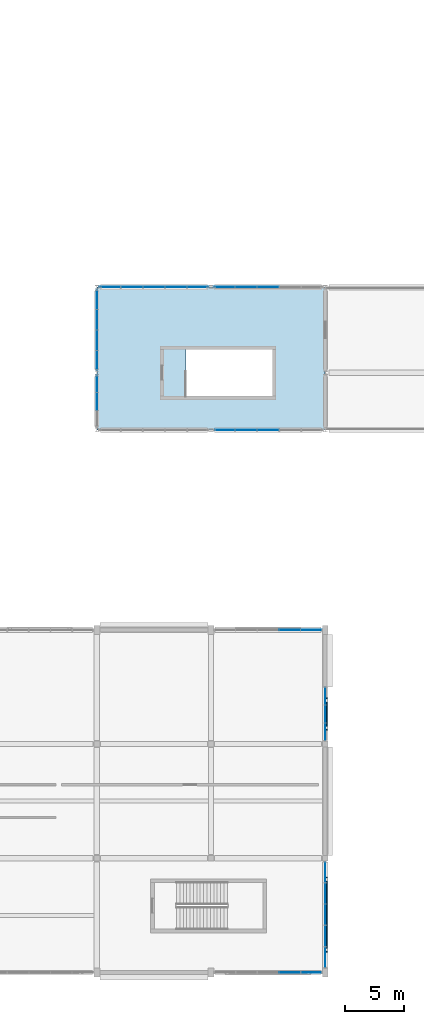
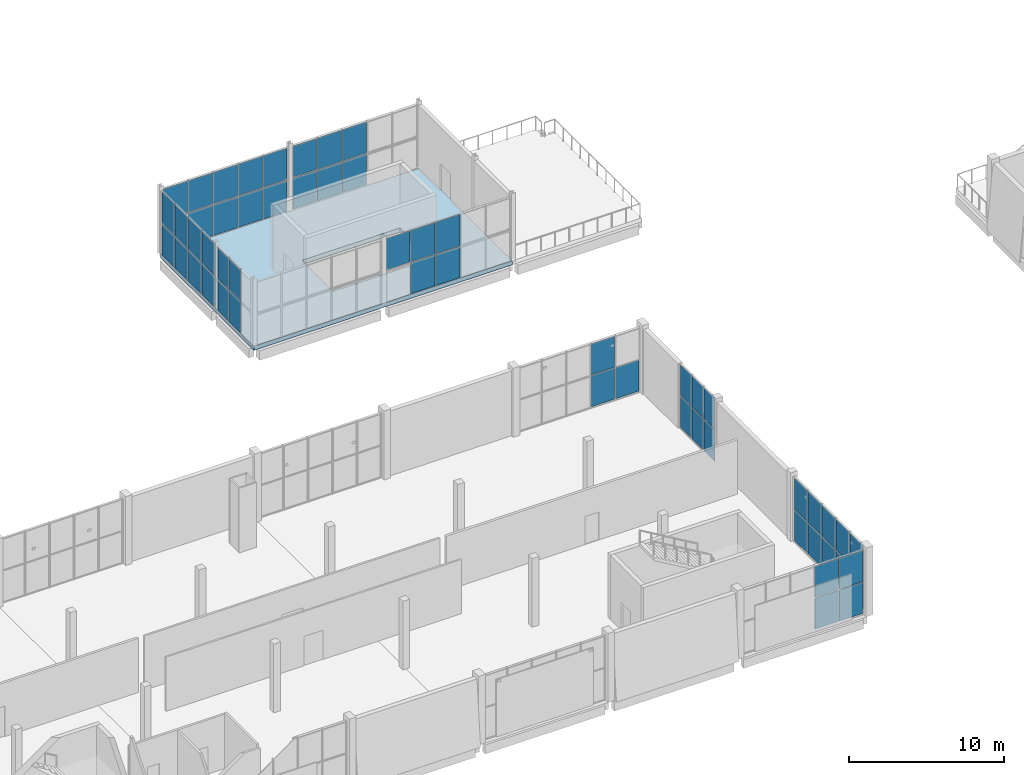
# One storey, part 44 of 83: 58 plates, 1 slab, 9 elements without a shape of their own.
"""IFC4 building model written with IfcOpenShell, lengths in metres."""

from ifc_helpers import new_model, si_unit, direction, frame, origin, origin_2d, place, context, subcontext, project, spatial, polyline, rectangle, outline, extrude, material, layer, layer_set, type_object, element, aggregate, save


model = new_model("IFC4")

# Units and contexts
model_context = context("Model", 3, precision=1e-05, world=origin(), true_north=direction((0.0, 1.0)))
body_context = subcontext(model_context, "Body", "Model", "MODEL_VIEW")
ifc_project = project(units=[si_unit("LENGTHUNIT", "METRE"), si_unit("AREAUNIT", "SQUARE_METRE"), si_unit("VOLUMEUNIT", "CUBIC_METRE"), si_unit("PLANEANGLEUNIT", "RADIAN"), si_unit("MASSUNIT", "GRAM", prefix="KILO")], contexts=[model_context])

# Site, building, storey
site_placement = place(None, origin())
site = spatial("IfcSite", under=ifc_project, at=site_placement, CompositionType="ELEMENT")
building_placement = place(site_placement, origin())
building = spatial("IfcBuilding", under=site, at=building_placement, Name="Shalvenor Court Art Gallery", CompositionType="ELEMENT")
storey_placement = place(building_placement, frame((0.0, 0.0, 6.0)))
storey = spatial("IfcBuildingStorey", under=building, at=storey_placement, Name="L01", CompositionType="ELEMENT", Elevation=6.0)

# Curtain wall, plates
ifc_material_1 = material(Name="Anodised aluminium and low-iron glass curtain wall", Category="aluminium")
curtain_wall_type_1 = type_object("IfcCurtainWallType", Name="CW-5x2-91-51-641", PredefinedType="USERDEFINED", material=ifc_material_1)
curtain_wall_1_placement = place(storey_placement, origin())
curtain_wall_1 = element("IfcCurtainWall", 1, at=curtain_wall_1_placement, inside=storey, type_object=curtain_wall_type_1, Name="L01 V4 Curtain Wall CW-L01-131", ObjectType="CURTAIN WALL", PredefinedType="USERDEFINED")
ifc_material_2 = material(Name="Low-iron UV-laminated double glazing IGU", Category="glass")
ifc_layer_1 = layer(ifc_material_2, 0.028076171875, Name="Low-iron UV-laminated double glazing IGU")
ifc_layer_set_1 = layer_set([ifc_layer_1], Name="Low-iron UV-laminated double glazing IGU")
plate_type_1 = type_object("IfcPlateType", Name="CWP-01", PredefinedType="CURTAIN_PANEL", material=ifc_layer_set_1)
plate_1_placement = place(storey_placement, frame((64.219970703125, 28.800048828125, 0.070068359375), z_axis=(0.0, 0.0, 1.0), x_axis=(1.0, 0.0, 0.0)))
plate_1 = element("IfcPlate", 2, at=plate_1_placement, type_object=plate_type_1, Name="CW-5x2-91-51-641 panel 4.1", PredefinedType="CURTAIN_PANEL", context=body_context, shape_type="SweptSolid", body=[
    extrude(rectangle(XDim=1.764892578125, YDim=0.028076171875, at=origin_2d()), origin(), (0.0, 0.0, 1.0), 2.43505859375),
])
plate_2_placement = place(storey_placement, frame((64.219970703125, 28.800048828125, 2.574951171875), z_axis=(0.0, 0.0, 1.0), x_axis=(1.0, 0.0, 0.0)))
plate_2 = element("IfcPlate", 3, at=plate_2_placement, type_object=plate_type_1, Name="CW-5x2-91-51-641 panel 4.2", PredefinedType="CURTAIN_PANEL", context=body_context, shape_type="SweptSolid", body=[
    extrude(rectangle(XDim=1.764892578125, YDim=0.028076171875, at=origin_2d()), origin(), (0.0, 0.0, 1.0), 2.43505859375),
])
plate_3_placement = place(storey_placement, frame((66.0263671875, 28.800048828125, 0.070068359375), z_axis=(0.0, 0.0, 1.0), x_axis=(1.0, 0.0, 0.0)))
plate_3 = element("IfcPlate", 4, at=plate_3_placement, type_object=plate_type_1, Name="CW-5x2-91-51-641 panel 5.1", PredefinedType="CURTAIN_PANEL", context=body_context, shape_type="SweptSolid", body=[
    extrude(rectangle(XDim=1.737548828125, YDim=0.028076171875, at=origin_2d()), origin(), (0.0, 0.0, 1.0), 2.43505859375),
])
aggregate(curtain_wall_1, [plate_1, plate_2, plate_3])

ifc_material_3 = material(Name="Anodised aluminium and low-iron glass curtain wall", Category="aluminium")
curtain_wall_type_2 = type_object("IfcCurtainWallType", Name="CW-3x2-46-51-111", PredefinedType="USERDEFINED", material=ifc_material_3)
curtain_wall_2_placement = place(storey_placement, origin())
curtain_wall_2 = element("IfcCurtainWall", 5, at=curtain_wall_2_placement, inside=storey, type_object=curtain_wall_type_2, Name="L01 V4 Curtain Wall CW-L01-132", ObjectType="CURTAIN WALL", PredefinedType="USERDEFINED")
plate_4_placement = place(storey_placement, frame((67.199951171875, 23.225341796875, 0.06005859375), z_axis=(0.0, 0.0, 1.0), x_axis=(0.0, -1.0, 0.0)))
plate_4 = element("IfcPlate", 6, at=plate_4_placement, type_object=plate_type_1, Name="CW-3x2-46-51-111 panel 1.1", PredefinedType="CURTAIN_PANEL", context=body_context, shape_type="SweptSolid", body=[
    extrude(rectangle(XDim=1.419189453125, YDim=0.028076171875, at=origin_2d()), origin(), (0.0, 0.0, 1.0), 2.449951171875),
])
plate_5_placement = place(storey_placement, frame((67.199951171875, 23.225341796875, 2.56982421875), z_axis=(0.0, 0.0, 1.0), x_axis=(0.0, -1.0, 0.0)))
plate_5 = element("IfcPlate", 7, at=plate_5_placement, type_object=plate_type_1, Name="CW-3x2-46-51-111 panel 1.2", PredefinedType="CURTAIN_PANEL", context=body_context, shape_type="SweptSolid", body=[
    extrude(rectangle(XDim=1.419189453125, YDim=0.028076171875, at=origin_2d()), origin(), (0.0, 0.0, 1.0), 2.449951171875),
])
plate_6_placement = place(storey_placement, frame((67.199951171875, 21.72509765625, 0.06005859375), z_axis=(0.0, 0.0, 1.0), x_axis=(0.0, -1.0, 0.0)))
plate_6 = element("IfcPlate", 8, at=plate_6_placement, type_object=plate_type_1, Name="CW-3x2-46-51-111 panel 2.1", PredefinedType="CURTAIN_PANEL", context=body_context, shape_type="SweptSolid", body=[
    extrude(rectangle(XDim=1.45166015625, YDim=0.028076171875, at=origin_2d()), origin(), (0.0, 0.0, 1.0), 2.449951171875),
])
plate_7_placement = place(storey_placement, frame((67.199951171875, 21.72509765625, 2.56982421875), z_axis=(0.0, 0.0, 1.0), x_axis=(0.0, -1.0, 0.0)))
plate_7 = element("IfcPlate", 9, at=plate_7_placement, type_object=plate_type_1, Name="CW-3x2-46-51-111 panel 2.2", PredefinedType="CURTAIN_PANEL", context=body_context, shape_type="SweptSolid", body=[
    extrude(rectangle(XDim=1.45166015625, YDim=0.028076171875, at=origin_2d()), origin(), (0.0, 0.0, 1.0), 2.449951171875),
])
plate_8_placement = place(storey_placement, frame((67.199951171875, 20.224609375, 0.06005859375), z_axis=(0.0, 0.0, 1.0), x_axis=(0.0, -1.0, 0.0)))
plate_8 = element("IfcPlate", 10, at=plate_8_placement, type_object=plate_type_1, Name="CW-3x2-46-51-111 panel 3.1", PredefinedType="CURTAIN_PANEL", context=body_context, shape_type="SweptSolid", body=[
    extrude(rectangle(XDim=1.419189453125, YDim=0.028076171875, at=origin_2d()), origin(), (0.0, 0.0, 1.0), 2.449951171875),
])
plate_9_placement = place(storey_placement, frame((67.199951171875, 20.224609375, 2.56982421875), z_axis=(0.0, 0.0, 1.0), x_axis=(0.0, -1.0, 0.0)))
plate_9 = element("IfcPlate", 11, at=plate_9_placement, type_object=plate_type_1, Name="CW-3x2-46-51-111 panel 3.2", PredefinedType="CURTAIN_PANEL", context=body_context, shape_type="SweptSolid", body=[
    extrude(rectangle(XDim=1.419189453125, YDim=0.028076171875, at=origin_2d()), origin(), (0.0, 0.0, 1.0), 2.449951171875),
])
aggregate(curtain_wall_2, [plate_4, plate_5, plate_6, plate_7, plate_8, plate_9])

ifc_material_4 = material(Name="Anodised aluminium and low-iron glass curtain wall", Category="aluminium")
curtain_wall_type_3 = type_object("IfcCurtainWallType", Name="CW-5x2-90-51-221", PredefinedType="USERDEFINED", material=ifc_material_4)
curtain_wall_3_placement = place(storey_placement, origin())
curtain_wall_3 = element("IfcCurtainWall", 12, at=curtain_wall_3_placement, inside=storey, type_object=curtain_wall_type_3, Name="L01 V4 Curtain Wall CW-L01-133", ObjectType="CURTAIN WALL", PredefinedType="USERDEFINED")
plate_10_placement = place(storey_placement, frame((67.199951171875, 8.43505859375, 0.06494140625), z_axis=(0.0, 0.0, 1.0), x_axis=(0.0, -1.0, 0.0)))
plate_10 = element("IfcPlate", 13, at=plate_10_placement, type_object=plate_type_1, Name="CW-5x2-90-51-221 panel 1.1", PredefinedType="CURTAIN_PANEL", context=body_context, shape_type="SweptSolid", body=[
    extrude(rectangle(XDim=1.68994140625, YDim=0.028076171875, at=origin_2d()), origin(), (0.0, 0.0, 1.0), 2.4423828125),
])
plate_11_placement = place(storey_placement, frame((67.199951171875, 8.43505859375, 2.572509765625), z_axis=(0.0, 0.0, 1.0), x_axis=(0.0, -1.0, 0.0)))
plate_11 = element("IfcPlate", 14, at=plate_11_placement, type_object=plate_type_1, Name="CW-5x2-90-51-221 panel 1.2", PredefinedType="CURTAIN_PANEL", context=body_context, shape_type="SweptSolid", body=[
    extrude(rectangle(XDim=1.68994140625, YDim=0.028076171875, at=origin_2d()), origin(), (0.0, 0.0, 1.0), 2.4423828125),
])
plate_12_placement = place(storey_placement, frame((67.199951171875, 6.657470703125, 0.06494140625), z_axis=(0.0, 0.0, 1.0), x_axis=(0.0, -1.0, 0.0)))
plate_12 = element("IfcPlate", 15, at=plate_12_placement, type_object=plate_type_1, Name="CW-5x2-90-51-221 panel 2.1", PredefinedType="CURTAIN_PANEL", context=body_context, shape_type="SweptSolid", body=[
    extrude(rectangle(XDim=1.72509765625, YDim=0.028076171875, at=origin_2d()), origin(), (0.0, 0.0, 1.0), 2.4423828125),
])
plate_13_placement = place(storey_placement, frame((67.199951171875, 6.657470703125, 2.572509765625), z_axis=(0.0, 0.0, 1.0), x_axis=(0.0, -1.0, 0.0)))
plate_13 = element("IfcPlate", 16, at=plate_13_placement, type_object=plate_type_1, Name="CW-5x2-90-51-221 panel 2.2", PredefinedType="CURTAIN_PANEL", context=body_context, shape_type="SweptSolid", body=[
    extrude(rectangle(XDim=1.72509765625, YDim=0.028076171875, at=origin_2d()), origin(), (0.0, 0.0, 1.0), 2.4423828125),
])
plate_14_placement = place(storey_placement, frame((67.199951171875, 4.862548828125, 0.06494140625), z_axis=(0.0, 0.0, 1.0), x_axis=(0.0, -1.0, 0.0)))
plate_14 = element("IfcPlate", 17, at=plate_14_placement, type_object=plate_type_1, Name="CW-5x2-90-51-221 panel 3.1", PredefinedType="CURTAIN_PANEL", context=body_context, shape_type="SweptSolid", body=[
    extrude(rectangle(XDim=1.72509765625, YDim=0.028076171875, at=origin_2d()), origin(), (0.0, 0.0, 1.0), 2.4423828125),
])
plate_15_placement = place(storey_placement, frame((67.199951171875, 4.862548828125, 2.572509765625), z_axis=(0.0, 0.0, 1.0), x_axis=(0.0, -1.0, 0.0)))
plate_15 = element("IfcPlate", 18, at=plate_15_placement, type_object=plate_type_1, Name="CW-5x2-90-51-221 panel 3.2", PredefinedType="CURTAIN_PANEL", context=body_context, shape_type="SweptSolid", body=[
    extrude(rectangle(XDim=1.72509765625, YDim=0.028076171875, at=origin_2d()), origin(), (0.0, 0.0, 1.0), 2.4423828125),
])
plate_16_placement = place(storey_placement, frame((67.199951171875, 3.0673828125, 0.06494140625), z_axis=(0.0, 0.0, 1.0), x_axis=(0.0, -1.0, 0.0)))
plate_16 = element("IfcPlate", 19, at=plate_16_placement, type_object=plate_type_1, Name="CW-5x2-90-51-221 panel 4.1", PredefinedType="CURTAIN_PANEL", context=body_context, shape_type="SweptSolid", body=[
    extrude(rectangle(XDim=1.72509765625, YDim=0.028076171875, at=origin_2d()), origin(), (0.0, 0.0, 1.0), 2.4423828125),
])
plate_17_placement = place(storey_placement, frame((67.199951171875, 3.0673828125, 2.572509765625), z_axis=(0.0, 0.0, 1.0), x_axis=(0.0, -1.0, 0.0)))
plate_17 = element("IfcPlate", 20, at=plate_17_placement, type_object=plate_type_1, Name="CW-5x2-90-51-221 panel 4.2", PredefinedType="CURTAIN_PANEL", context=body_context, shape_type="SweptSolid", body=[
    extrude(rectangle(XDim=1.72509765625, YDim=0.028076171875, at=origin_2d()), origin(), (0.0, 0.0, 1.0), 2.4423828125),
])
plate_18_placement = place(storey_placement, frame((67.199951171875, 1.2900390625, 0.06494140625), z_axis=(0.0, 0.0, 1.0), x_axis=(0.0, -1.0, 0.0)))
plate_18 = element("IfcPlate", 21, at=plate_18_placement, type_object=plate_type_1, Name="CW-5x2-90-51-221 panel 5.1", PredefinedType="CURTAIN_PANEL", context=body_context, shape_type="SweptSolid", body=[
    extrude(rectangle(XDim=1.68994140625, YDim=0.028076171875, at=origin_2d()), origin(), (0.0, 0.0, 1.0), 2.4423828125),
])
plate_19_placement = place(storey_placement, frame((67.199951171875, 1.2900390625, 2.572509765625), z_axis=(0.0, 0.0, 1.0), x_axis=(0.0, -1.0, 0.0)))
plate_19 = element("IfcPlate", 22, at=plate_19_placement, type_object=plate_type_1, Name="CW-5x2-90-51-221 panel 5.2", PredefinedType="CURTAIN_PANEL", context=body_context, shape_type="SweptSolid", body=[
    extrude(rectangle(XDim=1.68994140625, YDim=0.028076171875, at=origin_2d()), origin(), (0.0, 0.0, 1.0), 2.4423828125),
])
aggregate(curtain_wall_3, [plate_10, plate_11, plate_12, plate_13, plate_14, plate_15, plate_16, plate_17, plate_18, plate_19])

ifc_material_5 = material(Name="Anodised aluminium and low-iron glass curtain wall", Category="aluminium")
curtain_wall_type_4 = type_object("IfcCurtainWallType", Name="CW-5x2-91-51-441", PredefinedType="USERDEFINED", material=ifc_material_5)
curtain_wall_4_placement = place(storey_placement, origin())
curtain_wall_4 = element("IfcCurtainWall", 23, at=curtain_wall_4_placement, inside=storey, type_object=curtain_wall_type_4, Name="L01 V4 Curtain Wall CW-L01-134", ObjectType="CURTAIN WALL", PredefinedType="USERDEFINED")
plate_20_placement = place(storey_placement, frame((66.021240234375, 0.0, 0.070068359375), z_axis=(0.0, 0.0, 1.0), x_axis=(-1.0, 0.0, 0.0)))
plate_20 = element("IfcPlate", 24, at=plate_20_placement, type_object=plate_type_1, Name="CW-5x2-91-51-441 panel 1.1", PredefinedType="CURTAIN_PANEL", context=body_context, shape_type="SweptSolid", body=[
    extrude(rectangle(XDim=1.70751953125, YDim=0.028076171875, at=origin_2d()), origin(), (0.0, 0.0, 1.0), 2.43505859375),
])
plate_21_placement = place(storey_placement, frame((66.021240234375, 0.0, 2.574951171875), z_axis=(0.0, 0.0, 1.0), x_axis=(-1.0, 0.0, 0.0)))
plate_21 = element("IfcPlate", 25, at=plate_21_placement, type_object=plate_type_1, Name="CW-5x2-91-51-441 panel 1.2", PredefinedType="CURTAIN_PANEL", context=body_context, shape_type="SweptSolid", body=[
    extrude(rectangle(XDim=1.70751953125, YDim=0.028076171875, at=origin_2d()), origin(), (0.0, 0.0, 1.0), 2.43505859375),
])
plate_22_placement = place(storey_placement, frame((64.219970703125, 0.0, 0.070068359375), z_axis=(0.0, 0.0, 1.0), x_axis=(-1.0, 0.0, 0.0)))
plate_22 = element("IfcPlate", 26, at=plate_22_placement, type_object=plate_type_1, Name="CW-5x2-91-51-441 panel 2.1", PredefinedType="CURTAIN_PANEL", context=body_context, shape_type="SweptSolid", body=[
    extrude(rectangle(XDim=1.7451171875, YDim=0.028076171875, at=origin_2d()), origin(), (0.0, 0.0, 1.0), 2.43505859375),
])
plate_23_placement = place(storey_placement, frame((64.219970703125, 0.0, 2.574951171875), z_axis=(0.0, 0.0, 1.0), x_axis=(-1.0, 0.0, 0.0)))
plate_23 = element("IfcPlate", 27, at=plate_23_placement, type_object=plate_type_1, Name="CW-5x2-91-51-441 panel 2.2", PredefinedType="CURTAIN_PANEL", context=body_context, shape_type="SweptSolid", body=[
    extrude(rectangle(XDim=1.7451171875, YDim=0.028076171875, at=origin_2d()), origin(), (0.0, 0.0, 1.0), 2.43505859375),
])
aggregate(curtain_wall_4, [plate_20, plate_21, plate_22, plate_23])

ifc_material_6 = material(Name="Anodised aluminium and low-iron glass curtain wall", Category="aluminium")
curtain_wall_type_5 = type_object("IfcCurtainWallType", Name="CW-5x2-93-51-626", PredefinedType="USERDEFINED", material=ifc_material_6)
curtain_wall_5_placement = place(storey_placement, origin())
curtain_wall_5 = element("IfcCurtainWall", 28, at=curtain_wall_5_placement, inside=storey, type_object=curtain_wall_type_5, Name="L01 V6 Curtain Wall CW-L01-199", ObjectType="CURTAIN WALL", PredefinedType="USERDEFINED")
ifc_material_7 = material(Name="Solar-control laminated cloister glazing IGU", Category="glass")
ifc_layer_2 = layer(ifc_material_7, 0.0439453125, Name="Solar-control laminated cloister glazing IGU")
ifc_layer_set_2 = layer_set([ifc_layer_2], Name="Solar-control laminated cloister glazing IGU")
plate_type_2 = type_object("IfcPlateType", Name="CWP-06", PredefinedType="CURTAIN_PANEL", material=ifc_layer_set_2)
plate_24_placement = place(storey_placement, frame((49.09375, 57.60009765625, 0.06494140625), z_axis=(0.0, 0.0, 1.0), x_axis=(1.0, 0.0, 0.0)))
plate_24 = element("IfcPlate", 29, at=plate_24_placement, type_object=plate_type_2, Name="CW-5x2-93-51-626 panel 1.1", PredefinedType="CURTAIN_PANEL", context=body_context, shape_type="SweptSolid", body=[
    extrude(rectangle(XDim=1.777587890625, YDim=0.0439453125, at=origin_2d()), origin(), (0.0, 0.0, 1.0), 2.4423828125),
])
plate_25_placement = place(storey_placement, frame((49.09375, 57.60009765625, 2.572509765625), z_axis=(0.0, 0.0, 1.0), x_axis=(1.0, 0.0, 0.0)))
plate_25 = element("IfcPlate", 30, at=plate_25_placement, type_object=plate_type_2, Name="CW-5x2-93-51-626 panel 1.2", PredefinedType="CURTAIN_PANEL", context=body_context, shape_type="SweptSolid", body=[
    extrude(rectangle(XDim=1.777587890625, YDim=0.0439453125, at=origin_2d()), origin(), (0.0, 0.0, 1.0), 2.4423828125),
])
plate_26_placement = place(storey_placement, frame((50.93994140625, 57.60009765625, 0.06494140625), z_axis=(0.0, 0.0, 1.0), x_axis=(1.0, 0.0, 0.0)))
plate_26 = element("IfcPlate", 31, at=plate_26_placement, type_object=plate_type_2, Name="CW-5x2-93-51-626 panel 2.1", PredefinedType="CURTAIN_PANEL", context=body_context, shape_type="SweptSolid", body=[
    extrude(rectangle(XDim=1.804931640625, YDim=0.0439453125, at=origin_2d()), origin(), (0.0, 0.0, 1.0), 2.4423828125),
])
plate_27_placement = place(storey_placement, frame((50.93994140625, 57.60009765625, 2.572509765625), z_axis=(0.0, 0.0, 1.0), x_axis=(1.0, 0.0, 0.0)))
plate_27 = element("IfcPlate", 32, at=plate_27_placement, type_object=plate_type_2, Name="CW-5x2-93-51-626 panel 2.2", PredefinedType="CURTAIN_PANEL", context=body_context, shape_type="SweptSolid", body=[
    extrude(rectangle(XDim=1.804931640625, YDim=0.0439453125, at=origin_2d()), origin(), (0.0, 0.0, 1.0), 2.4423828125),
])
plate_28_placement = place(storey_placement, frame((52.800048828125, 57.60009765625, 0.06494140625), z_axis=(0.0, 0.0, 1.0), x_axis=(1.0, 0.0, 0.0)))
plate_28 = element("IfcPlate", 33, at=plate_28_placement, type_object=plate_type_2, Name="CW-5x2-93-51-626 panel 3.1", PredefinedType="CURTAIN_PANEL", context=body_context, shape_type="SweptSolid", body=[
    extrude(rectangle(XDim=1.804931640625, YDim=0.0439453125, at=origin_2d()), origin(), (0.0, 0.0, 1.0), 2.4423828125),
])
plate_29_placement = place(storey_placement, frame((52.800048828125, 57.60009765625, 2.572509765625), z_axis=(0.0, 0.0, 1.0), x_axis=(1.0, 0.0, 0.0)))
plate_29 = element("IfcPlate", 34, at=plate_29_placement, type_object=plate_type_2, Name="CW-5x2-93-51-626 panel 3.2", PredefinedType="CURTAIN_PANEL", context=body_context, shape_type="SweptSolid", body=[
    extrude(rectangle(XDim=1.804931640625, YDim=0.0439453125, at=origin_2d()), origin(), (0.0, 0.0, 1.0), 2.4423828125),
])
plate_30_placement = place(storey_placement, frame((54.659912109375, 57.60009765625, 0.06494140625), z_axis=(0.0, 0.0, 1.0), x_axis=(1.0, 0.0, 0.0)))
plate_30 = element("IfcPlate", 35, at=plate_30_placement, type_object=plate_type_2, Name="CW-5x2-93-51-626 panel 4.1", PredefinedType="CURTAIN_PANEL", context=body_context, shape_type="SweptSolid", body=[
    extrude(rectangle(XDim=1.804931640625, YDim=0.0439453125, at=origin_2d()), origin(), (0.0, 0.0, 1.0), 2.4423828125),
])
plate_31_placement = place(storey_placement, frame((54.659912109375, 57.60009765625, 2.572509765625), z_axis=(0.0, 0.0, 1.0), x_axis=(1.0, 0.0, 0.0)))
plate_31 = element("IfcPlate", 36, at=plate_31_placement, type_object=plate_type_2, Name="CW-5x2-93-51-626 panel 4.2", PredefinedType="CURTAIN_PANEL", context=body_context, shape_type="SweptSolid", body=[
    extrude(rectangle(XDim=1.804931640625, YDim=0.0439453125, at=origin_2d()), origin(), (0.0, 0.0, 1.0), 2.4423828125),
])
plate_32_placement = place(storey_placement, frame((56.50634765625, 57.60009765625, 0.06494140625), z_axis=(0.0, 0.0, 1.0), x_axis=(1.0, 0.0, 0.0)))
plate_32 = element("IfcPlate", 37, at=plate_32_placement, type_object=plate_type_2, Name="CW-5x2-93-51-626 panel 5.1", PredefinedType="CURTAIN_PANEL", context=body_context, shape_type="SweptSolid", body=[
    extrude(rectangle(XDim=1.777587890625, YDim=0.0439453125, at=origin_2d()), origin(), (0.0, 0.0, 1.0), 2.4423828125),
])
plate_33_placement = place(storey_placement, frame((56.50634765625, 57.60009765625, 2.572509765625), z_axis=(0.0, 0.0, 1.0), x_axis=(1.0, 0.0, 0.0)))
plate_33 = element("IfcPlate", 38, at=plate_33_placement, type_object=plate_type_2, Name="CW-5x2-93-51-626 panel 5.2", PredefinedType="CURTAIN_PANEL", context=body_context, shape_type="SweptSolid", body=[
    extrude(rectangle(XDim=1.777587890625, YDim=0.0439453125, at=origin_2d()), origin(), (0.0, 0.0, 1.0), 2.4423828125),
])
aggregate(curtain_wall_5, [plate_24, plate_25, plate_26, plate_27, plate_28, plate_29, plate_30, plate_31, plate_32, plate_33])

ifc_material_8 = material(Name="Anodised aluminium and low-iron glass curtain wall", Category="aluminium")
curtain_wall_type_6 = type_object("IfcCurtainWallType", Name="CW-5x2-93-51-146", PredefinedType="USERDEFINED", material=ifc_material_8)
curtain_wall_6_placement = place(storey_placement, origin())
curtain_wall_6 = element("IfcCurtainWall", 39, at=curtain_wall_6_placement, inside=storey, type_object=curtain_wall_type_6, Name="L01 V6 Curtain Wall CW-L01-200", ObjectType="CURTAIN WALL", PredefinedType="USERDEFINED")
plate_34_placement = place(storey_placement, frame((58.6962890625, 57.60009765625, 0.070068359375), z_axis=(0.0, 0.0, 1.0), x_axis=(1.0, 0.0, 0.0)))
plate_34 = element("IfcPlate", 40, at=plate_34_placement, type_object=plate_type_2, Name="CW-5x2-93-51-146 panel 1.1", PredefinedType="CURTAIN_PANEL", context=body_context, shape_type="SweptSolid", body=[
    extrude(rectangle(XDim=1.762451171875, YDim=0.0439453125, at=origin_2d()), origin(), (0.0, 0.0, 1.0), 2.43505859375),
])
plate_35_placement = place(storey_placement, frame((58.6962890625, 57.60009765625, 2.574951171875), z_axis=(0.0, 0.0, 1.0), x_axis=(1.0, 0.0, 0.0)))
plate_35 = element("IfcPlate", 41, at=plate_35_placement, type_object=plate_type_2, Name="CW-5x2-93-51-146 panel 1.2", PredefinedType="CURTAIN_PANEL", context=body_context, shape_type="SweptSolid", body=[
    extrude(rectangle(XDim=1.762451171875, YDim=0.0439453125, at=origin_2d()), origin(), (0.0, 0.0, 1.0), 2.43505859375),
])
plate_36_placement = place(storey_placement, frame((60.5400390625, 57.60009765625, 0.070068359375), z_axis=(0.0, 0.0, 1.0), x_axis=(1.0, 0.0, 0.0)))
plate_36 = element("IfcPlate", 42, at=plate_36_placement, type_object=plate_type_2, Name="CW-5x2-93-51-146 panel 2.1", PredefinedType="CURTAIN_PANEL", context=body_context, shape_type="SweptSolid", body=[
    extrude(rectangle(XDim=1.794921875, YDim=0.0439453125, at=origin_2d()), origin(), (0.0, 0.0, 1.0), 2.43505859375),
])
plate_37_placement = place(storey_placement, frame((60.5400390625, 57.60009765625, 2.574951171875), z_axis=(0.0, 0.0, 1.0), x_axis=(1.0, 0.0, 0.0)))
plate_37 = element("IfcPlate", 43, at=plate_37_placement, type_object=plate_type_2, Name="CW-5x2-93-51-146 panel 2.2", PredefinedType="CURTAIN_PANEL", context=body_context, shape_type="SweptSolid", body=[
    extrude(rectangle(XDim=1.794921875, YDim=0.0439453125, at=origin_2d()), origin(), (0.0, 0.0, 1.0), 2.43505859375),
])
plate_38_placement = place(storey_placement, frame((62.39990234375, 57.60009765625, 0.070068359375), z_axis=(0.0, 0.0, 1.0), x_axis=(1.0, 0.0, 0.0)))
plate_38 = element("IfcPlate", 44, at=plate_38_placement, type_object=plate_type_2, Name="CW-5x2-93-51-146 panel 3.1", PredefinedType="CURTAIN_PANEL", context=body_context, shape_type="SweptSolid", body=[
    extrude(rectangle(XDim=1.794921875, YDim=0.0439453125, at=origin_2d()), origin(), (0.0, 0.0, 1.0), 2.43505859375),
])
plate_39_placement = place(storey_placement, frame((62.39990234375, 57.60009765625, 2.574951171875), z_axis=(0.0, 0.0, 1.0), x_axis=(1.0, 0.0, 0.0)))
plate_39 = element("IfcPlate", 45, at=plate_39_placement, type_object=plate_type_2, Name="CW-5x2-93-51-146 panel 3.2", PredefinedType="CURTAIN_PANEL", context=body_context, shape_type="SweptSolid", body=[
    extrude(rectangle(XDim=1.794921875, YDim=0.0439453125, at=origin_2d()), origin(), (0.0, 0.0, 1.0), 2.43505859375),
])
aggregate(curtain_wall_6, [plate_34, plate_35, plate_36, plate_37, plate_38, plate_39])

ifc_material_9 = material(Name="Anodised aluminium and low-iron glass curtain wall", Category="aluminium")
curtain_wall_type_7 = type_object("IfcCurtainWallType", Name="CW-5x2-93-51-216", PredefinedType="USERDEFINED", material=ifc_material_9)
curtain_wall_7_placement = place(storey_placement, origin())
curtain_wall_7 = element("IfcCurtainWall", 46, at=curtain_wall_7_placement, inside=storey, type_object=curtain_wall_type_7, Name="L01 V6 Curtain Wall CW-L01-201", ObjectType="CURTAIN WALL", PredefinedType="USERDEFINED")
plate_40_placement = place(storey_placement, frame((62.39990234375, 45.60009765625, 0.06005859375), z_axis=(0.0, 0.0, 1.0), x_axis=(-1.0, 0.0, 0.0)))
plate_40 = element("IfcPlate", 47, at=plate_40_placement, type_object=plate_type_2, Name="CW-5x2-93-51-216 panel 3.1", PredefinedType="CURTAIN_PANEL", context=body_context, shape_type="SweptSolid", body=[
    extrude(rectangle(XDim=1.7900390625, YDim=0.0439453125, at=origin_2d()), origin(), (0.0, 0.0, 1.0), 2.449951171875),
])
plate_41_placement = place(storey_placement, frame((62.39990234375, 45.60009765625, 2.56982421875), z_axis=(0.0, 0.0, 1.0), x_axis=(-1.0, 0.0, 0.0)))
plate_41 = element("IfcPlate", 48, at=plate_41_placement, type_object=plate_type_2, Name="CW-5x2-93-51-216 panel 3.2", PredefinedType="CURTAIN_PANEL", context=body_context, shape_type="SweptSolid", body=[
    extrude(rectangle(XDim=1.7900390625, YDim=0.0439453125, at=origin_2d()), origin(), (0.0, 0.0, 1.0), 2.449951171875),
])
plate_42_placement = place(storey_placement, frame((60.5400390625, 45.60009765625, 0.06005859375), z_axis=(0.0, 0.0, 1.0), x_axis=(-1.0, 0.0, 0.0)))
plate_42 = element("IfcPlate", 49, at=plate_42_placement, type_object=plate_type_2, Name="CW-5x2-93-51-216 panel 4.1", PredefinedType="CURTAIN_PANEL", context=body_context, shape_type="SweptSolid", body=[
    extrude(rectangle(XDim=1.7900390625, YDim=0.0439453125, at=origin_2d()), origin(), (0.0, 0.0, 1.0), 2.449951171875),
])
plate_43_placement = place(storey_placement, frame((60.5400390625, 45.60009765625, 2.56982421875), z_axis=(0.0, 0.0, 1.0), x_axis=(-1.0, 0.0, 0.0)))
plate_43 = element("IfcPlate", 50, at=plate_43_placement, type_object=plate_type_2, Name="CW-5x2-93-51-216 panel 4.2", PredefinedType="CURTAIN_PANEL", context=body_context, shape_type="SweptSolid", body=[
    extrude(rectangle(XDim=1.7900390625, YDim=0.0439453125, at=origin_2d()), origin(), (0.0, 0.0, 1.0), 2.449951171875),
])
plate_44_placement = place(storey_placement, frame((58.697509765625, 45.60009765625, 2.56982421875), z_axis=(0.0, 0.0, 1.0), x_axis=(-1.0, 0.0, 0.0)))
plate_44 = element("IfcPlate", 51, at=plate_44_placement, type_object=plate_type_2, Name="CW-5x2-93-51-216 panel 5.2", PredefinedType="CURTAIN_PANEL", context=body_context, shape_type="SweptSolid", body=[
    extrude(rectangle(XDim=1.7548828125, YDim=0.0439453125, at=origin_2d()), origin(), (0.0, 0.0, 1.0), 2.449951171875),
])
aggregate(curtain_wall_7, [plate_40, plate_41, plate_42, plate_43, plate_44])

ifc_material_10 = material(Name="Anodised aluminium and low-iron glass curtain wall", Category="aluminium")
curtain_wall_type_8 = type_object("IfcCurtainWallType", Name="CW-3x2-45-51-646", PredefinedType="USERDEFINED", material=ifc_material_10)
curtain_wall_8_placement = place(storey_placement, origin())
curtain_wall_8 = element("IfcCurtainWall", 52, at=curtain_wall_8_placement, inside=storey, type_object=curtain_wall_type_8, Name="L01 V6 Curtain Wall CW-L01-203", ObjectType="CURTAIN WALL", PredefinedType="USERDEFINED")
plate_45_placement = place(storey_placement, frame((48.0, 48.0, 0.070068359375), z_axis=(0.0, 0.0, 1.0), x_axis=(0.0, 1.0, 0.0)))
plate_45 = element("IfcPlate", 53, at=plate_45_placement, type_object=plate_type_2, Name="CW-3x2-45-51-646 panel 2.1", PredefinedType="CURTAIN_PANEL", context=body_context, shape_type="SweptSolid", body=[
    extrude(rectangle(XDim=1.445068359375, YDim=0.0439453125, at=origin_2d()), origin(), (0.0, 0.0, 1.0), 2.43505859375),
])
plate_46_placement = place(storey_placement, frame((48.0, 48.0, 2.574951171875), z_axis=(0.0, 0.0, 1.0), x_axis=(0.0, 1.0, 0.0)))
plate_46 = element("IfcPlate", 54, at=plate_46_placement, type_object=plate_type_2, Name="CW-3x2-45-51-646 panel 2.2", PredefinedType="CURTAIN_PANEL", context=body_context, shape_type="SweptSolid", body=[
    extrude(rectangle(XDim=1.445068359375, YDim=0.0439453125, at=origin_2d()), origin(), (0.0, 0.0, 1.0), 2.43505859375),
])
plate_47_placement = place(storey_placement, frame((48.0, 49.486328125, 0.070068359375), z_axis=(0.0, 0.0, 1.0), x_axis=(0.0, 1.0, 0.0)))
plate_47 = element("IfcPlate", 55, at=plate_47_placement, type_object=plate_type_2, Name="CW-3x2-45-51-646 panel 3.1", PredefinedType="CURTAIN_PANEL", context=body_context, shape_type="SweptSolid", body=[
    extrude(rectangle(XDim=1.41748046875, YDim=0.0439453125, at=origin_2d()), origin(), (0.0, 0.0, 1.0), 2.43505859375),
])
plate_48_placement = place(storey_placement, frame((48.0, 49.486328125, 2.574951171875), z_axis=(0.0, 0.0, 1.0), x_axis=(0.0, 1.0, 0.0)))
plate_48 = element("IfcPlate", 56, at=plate_48_placement, type_object=plate_type_2, Name="CW-3x2-45-51-646 panel 3.2", PredefinedType="CURTAIN_PANEL", context=body_context, shape_type="SweptSolid", body=[
    extrude(rectangle(XDim=1.41748046875, YDim=0.0439453125, at=origin_2d()), origin(), (0.0, 0.0, 1.0), 2.43505859375),
])
aggregate(curtain_wall_8, [plate_45, plate_46, plate_47, plate_48])

ifc_material_11 = material(Name="Anodised aluminium and low-iron glass curtain wall", Category="aluminium")
curtain_wall_type_9 = type_object("IfcCurtainWallType", Name="CW-4x2-69-51-116", PredefinedType="USERDEFINED", material=ifc_material_11)
curtain_wall_9_placement = place(storey_placement, origin())
curtain_wall_9 = element("IfcCurtainWall", 57, at=curtain_wall_9_placement, inside=storey, type_object=curtain_wall_type_9, Name="L01 V6 Curtain Wall CW-L01-204", ObjectType="CURTAIN WALL", PredefinedType="USERDEFINED")
plate_49_placement = place(storey_placement, frame((48.0, 51.4287109375, 0.06005859375), z_axis=(0.0, 0.0, 1.0), x_axis=(0.0, 1.0, 0.0)))
plate_49 = element("IfcPlate", 58, at=plate_49_placement, type_object=plate_type_2, Name="CW-4x2-69-51-116 panel 1.1", PredefinedType="CURTAIN_PANEL", context=body_context, shape_type="SweptSolid", body=[
    extrude(rectangle(XDim=1.62744140625, YDim=0.0439453125, at=origin_2d()), origin(), (0.0, 0.0, 1.0), 2.449951171875),
])
plate_50_placement = place(storey_placement, frame((48.0, 51.4287109375, 2.56982421875), z_axis=(0.0, 0.0, 1.0), x_axis=(0.0, 1.0, 0.0)))
plate_50 = element("IfcPlate", 59, at=plate_50_placement, type_object=plate_type_2, Name="CW-4x2-69-51-116 panel 1.2", PredefinedType="CURTAIN_PANEL", context=body_context, shape_type="SweptSolid", body=[
    extrude(rectangle(XDim=1.62744140625, YDim=0.0439453125, at=origin_2d()), origin(), (0.0, 0.0, 1.0), 2.449951171875),
])
plate_51_placement = place(storey_placement, frame((48.0, 53.137451171875, 0.06005859375), z_axis=(0.0, 0.0, 1.0), x_axis=(0.0, 1.0, 0.0)))
plate_51 = element("IfcPlate", 60, at=plate_51_placement, type_object=plate_type_2, Name="CW-4x2-69-51-116 panel 2.1", PredefinedType="CURTAIN_PANEL", context=body_context, shape_type="SweptSolid", body=[
    extrude(rectangle(XDim=1.659912109375, YDim=0.0439453125, at=origin_2d()), origin(), (0.0, 0.0, 1.0), 2.449951171875),
])
plate_52_placement = place(storey_placement, frame((48.0, 53.137451171875, 2.56982421875), z_axis=(0.0, 0.0, 1.0), x_axis=(0.0, 1.0, 0.0)))
plate_52 = element("IfcPlate", 61, at=plate_52_placement, type_object=plate_type_2, Name="CW-4x2-69-51-116 panel 2.2", PredefinedType="CURTAIN_PANEL", context=body_context, shape_type="SweptSolid", body=[
    extrude(rectangle(XDim=1.659912109375, YDim=0.0439453125, at=origin_2d()), origin(), (0.0, 0.0, 1.0), 2.449951171875),
])
plate_53_placement = place(storey_placement, frame((48.0, 54.862548828125, 0.06005859375), z_axis=(0.0, 0.0, 1.0), x_axis=(0.0, 1.0, 0.0)))
plate_53 = element("IfcPlate", 62, at=plate_53_placement, type_object=plate_type_2, Name="CW-4x2-69-51-116 panel 3.1", PredefinedType="CURTAIN_PANEL", context=body_context, shape_type="SweptSolid", body=[
    extrude(rectangle(XDim=1.659912109375, YDim=0.0439453125, at=origin_2d()), origin(), (0.0, 0.0, 1.0), 2.449951171875),
])
plate_54_placement = place(storey_placement, frame((48.0, 54.862548828125, 2.56982421875), z_axis=(0.0, 0.0, 1.0), x_axis=(0.0, 1.0, 0.0)))
plate_54 = element("IfcPlate", 63, at=plate_54_placement, type_object=plate_type_2, Name="CW-4x2-69-51-116 panel 3.2", PredefinedType="CURTAIN_PANEL", context=body_context, shape_type="SweptSolid", body=[
    extrude(rectangle(XDim=1.659912109375, YDim=0.0439453125, at=origin_2d()), origin(), (0.0, 0.0, 1.0), 2.449951171875),
])
plate_55_placement = place(storey_placement, frame((48.0, 56.5712890625, 0.06005859375), z_axis=(0.0, 0.0, 1.0), x_axis=(0.0, 1.0, 0.0)))
plate_55 = element("IfcPlate", 64, at=plate_55_placement, type_object=plate_type_2, Name="CW-4x2-69-51-116 panel 4.1", PredefinedType="CURTAIN_PANEL", context=body_context, shape_type="SweptSolid", body=[
    extrude(rectangle(XDim=1.62744140625, YDim=0.0439453125, at=origin_2d()), origin(), (0.0, 0.0, 1.0), 2.449951171875),
])
plate_56_placement = place(storey_placement, frame((48.0, 56.5712890625, 2.56982421875), z_axis=(0.0, 0.0, 1.0), x_axis=(0.0, 1.0, 0.0)))
plate_56 = element("IfcPlate", 65, at=plate_56_placement, type_object=plate_type_2, Name="CW-4x2-69-51-116 panel 4.2", PredefinedType="CURTAIN_PANEL", context=body_context, shape_type="SweptSolid", body=[
    extrude(rectangle(XDim=1.62744140625, YDim=0.0439453125, at=origin_2d()), origin(), (0.0, 0.0, 1.0), 2.449951171875),
])
aggregate(curtain_wall_9, [plate_49, plate_50, plate_51, plate_52, plate_53, plate_54, plate_55, plate_56])

# Slab
ifc_material_12 = material(Name="Concrete C40/50", Category="concrete")
ifc_layer_3 = layer(ifc_material_12, 0.320068359375, Name="Concrete C40/50")
ifc_layer_set_3 = layer_set([ifc_layer_3], Name="Concrete C40/50")
slab_type = type_object("IfcSlabType", Name="FS-320", PredefinedType="FLOOR", material=ifc_layer_set_3)
slab_placement = place(storey_placement, frame((0.0, 0.0, -0.320068359375)))
element("IfcSlab", 66, at=slab_placement, inside=storey, type_object=slab_type, Name="L01 V6 Floor Slab 1", PredefinedType="FLOOR", context=body_context, shape_type="SweptSolid", body=[
    extrude(outline(polyline([(48.0, 57.60009765625), (67.199951171875, 57.60009765625), (67.199951171875, 45.60009765625), (48.0, 45.60009765625), (48.0, 57.60009765625)]), holes=[polyline([(55.510986328125, 52.39990234375), (55.510986328125, 48.39990234375), (62.800048828125, 48.39990234375), (62.800048828125, 52.39990234375), (55.510986328125, 52.39990234375)])]), origin(), (0.0, 0.0, 1.0), 0.320068359375),
])

# Plates
ifc_material_13 = material(Name="Perforated pale limestone GRC lattice", Category="masonry")
ifc_layer_4 = layer(ifc_material_13, 0.090087890625, Name="Perforated pale limestone GRC lattice")
ifc_layer_set_4 = layer_set([ifc_layer_4], Name="Perforated pale limestone GRC lattice")
plate_type_3 = type_object("IfcPlateType", Name="SCR-06", PredefinedType="USERDEFINED", material=ifc_layer_set_4)
plate_57_placement = place(storey_placement, frame((67.343017578125, 4.862548828125, 0.0), z_axis=(0.0, 0.0, 1.0), x_axis=(0.0, -1.0, 0.0)))
element("IfcPlate", 67, at=plate_57_placement, inside=storey, type_object=plate_type_3, Name="L01 V4 Perforated Stone Lattice Screen PLT-SCR-0118", ObjectType="SCREEN", PredefinedType="USERDEFINED", context=body_context, shape_type="SweptSolid", body=[
    extrude(rectangle(XDim=6.300048828125, YDim=0.090087890625, at=origin_2d()), origin(), (0.0, 0.0, 1.0), 4.5),
])
ifc_material_14 = material(Name="Perforated pale limestone GRC lattice", Category="masonry")
ifc_layer_5 = layer(ifc_material_14, 0.0849609375, Name="Perforated pale limestone GRC lattice")
ifc_layer_set_5 = layer_set([ifc_layer_5], Name="Perforated pale limestone GRC lattice")
plate_type_4 = type_object("IfcPlateType", Name="SCR-13", PredefinedType="USERDEFINED", material=ifc_layer_set_5)
plate_58_placement = place(storey_placement, frame((67.33056640625, 21.72509765625, 0.0), z_axis=(0.0, 0.0, 1.0), x_axis=(0.0, -1.0, 0.0)))
element("IfcPlate", 68, at=plate_58_placement, inside=storey, type_object=plate_type_4, Name="L01 V4 Perforated Stone Lattice Screen PLT-SCR-0117", ObjectType="SCREEN", PredefinedType="USERDEFINED", context=body_context, shape_type="SweptSolid", body=[
    extrude(rectangle(XDim=2.699951171875, YDim=0.0849609375, at=origin_2d()), origin(), (0.0, 0.0, 1.0), 2.699951171875),
])

save(model, "model.ifc")
